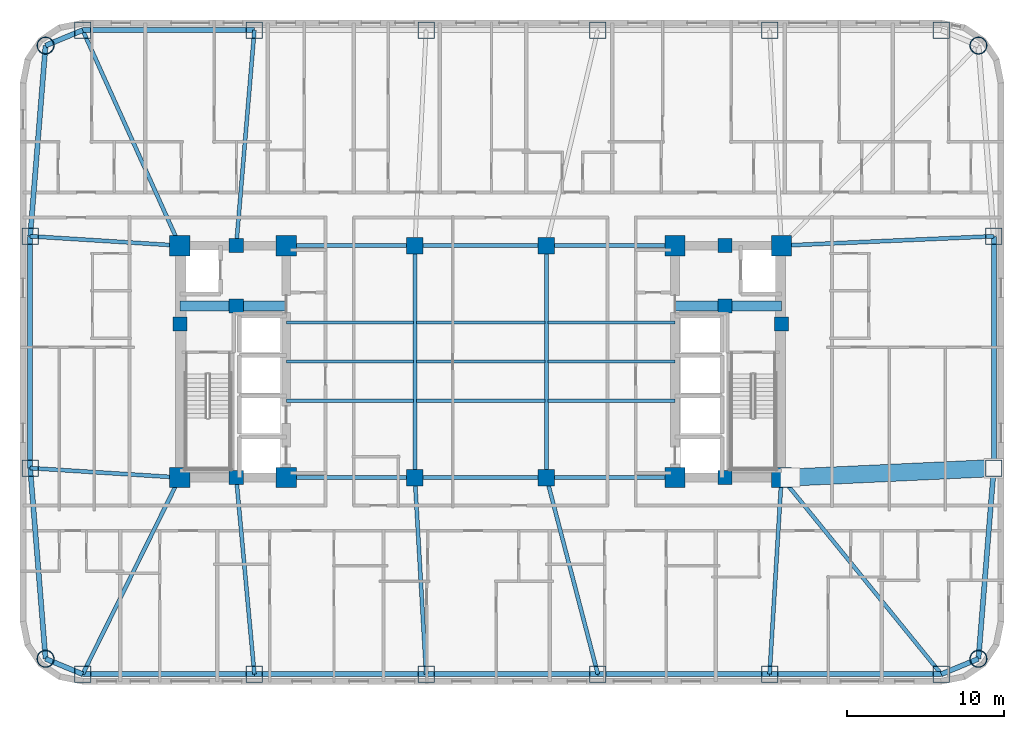
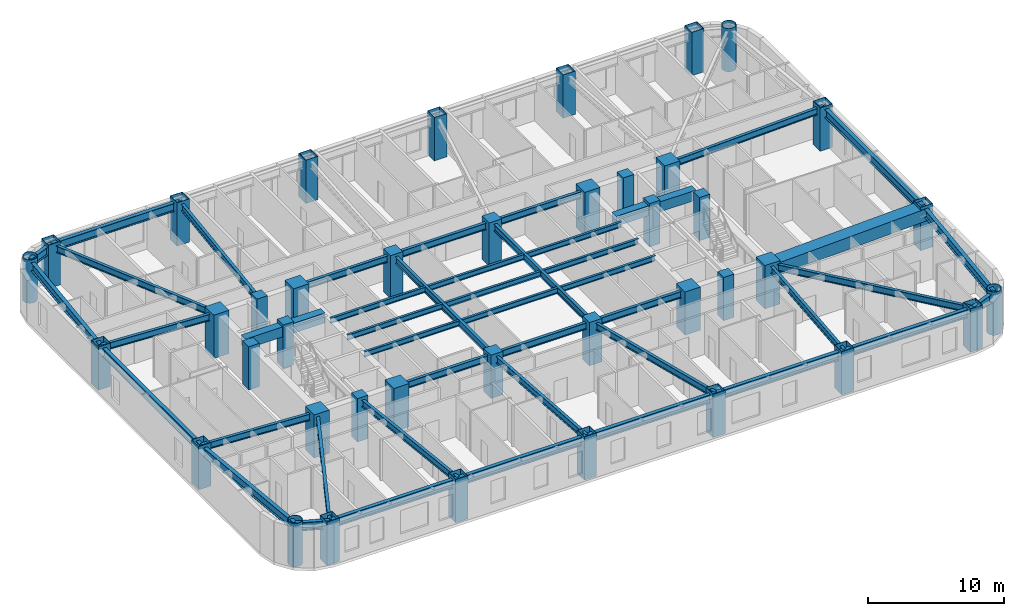
# One storey, part 1 of 12: 45 beams, 40 columns.
"""IFC4 building model written with IfcOpenShell, lengths in metres."""

from ifc_helpers import new_model, si_unit, direction, frame, origin, origin_2d, place, context, subcontext, project, spatial, rectangle, hollow_rectangle, hollow_circle, i_section, extrude, material, material_profile, profile_set, type_object, element, save


model = new_model("IFC4")

# Units and contexts
model_context = context("Model", 3, precision=1e-05, world=origin(), true_north=direction((0.0, 1.0)))
body_context = subcontext(model_context, "Body", "Model", "MODEL_VIEW")
ifc_project = project(units=[si_unit("LENGTHUNIT", "METRE"), si_unit("AREAUNIT", "SQUARE_METRE"), si_unit("VOLUMEUNIT", "CUBIC_METRE"), si_unit("PLANEANGLEUNIT", "RADIAN"), si_unit("MASSUNIT", "GRAM", prefix="KILO")], contexts=[model_context])

# Site, building, storey
site_placement = place(None, origin())
site = spatial("IfcSite", under=ifc_project, at=site_placement, CompositionType="ELEMENT")
building_placement = place(site_placement, origin())
building = spatial("IfcBuilding", under=site, at=building_placement, Name="Voryun Gate Residences", CompositionType="ELEMENT")
storey_placement = place(building_placement, frame((0.0, 0.0, 132.60009765625)))
storey = spatial("IfcBuildingStorey", under=building, at=storey_placement, Name="L32", CompositionType="ELEMENT", Elevation=132.60009765625)

# Columns
ifc_material_1 = material(Name="Concrete C50/60", Category="concrete")
ifc_material_profile_1 = material_profile(ifc_material_1, rectangle(XDim=1.050048828125, YDim=1.050048828125, at=origin_2d()), Name="RC-1050x1050")
ifc_profile_set_1 = profile_set([ifc_material_profile_1], Name="Concrete C50/60")
column_type_1 = type_object("IfcColumnType", Name="COL_CORE_1050", PredefinedType="COLUMN", material=ifc_profile_set_1)
for number, where, z_axis, x_axis, name in (
    (1, (-4.199951171875, -7.39990234375, 0.0), (0.0, 0.0, 1.0), (1.0, 0.0, 0.0), "L32 Interior spine column SP-WS"),
    (2, (-4.199951171875, 7.39990234375, 0.0), (0.0, 0.0, 1.0), (1.0, 0.0, 0.0), "L32 Interior spine column SP-WN"),
    (3, (4.199951171875, -7.39990234375, 0.0), (0.0, 0.0, 1.0), (1.0, 0.0, 0.0), "L32 Interior spine column SP-ES"),
    (4, (4.199951171875, 7.39990234375, 0.0), (0.0, 0.0, 1.0), (1.0, 0.0, 0.0), "L32 Interior spine column SP-EN"),
):
    element("IfcColumn", number, at=place(storey_placement, frame(where, z_axis=z_axis, x_axis=x_axis)), inside=storey, type_object=column_type_1, Name=name, PredefinedType="COLUMN", context=body_context, shape_type="SweptSolid", body=[
        extrude(rectangle(XDim=1.050048828125, YDim=1.050048828125, at=origin_2d()), origin(), (0.0, 0.0, 1.0), 3.89990234375),
    ])
ifc_material_2 = material(Name="Concrete C50/60", Category="concrete")
ifc_material_profile_2 = material_profile(ifc_material_2, rectangle(XDim=0.89990234375, YDim=0.89990234375, at=origin_2d()), Name="RC-900x900")
ifc_profile_set_2 = profile_set([ifc_material_profile_2], Name="Concrete C50/60")
column_type_2 = type_object("IfcColumnType", Name="COL_CORE_900", PredefinedType="COLUMN", material=ifc_profile_set_2)
for number, where, z_axis, x_axis, name in (
    (5, (-19.199951171875, 2.39990234375, 0.0), (0.0, 0.0, 1.0), (1.0, 0.0, 0.0), "L32 Core boundary column WC-MW"),
    (6, (-15.60009765625, -7.39990234375, 0.0), (0.0, 0.0, 1.0), (1.0, 0.0, 0.0), "L32 Core boundary column WC-SM"),
    (7, (-15.60009765625, 7.39990234375, 0.0), (0.0, 0.0, 1.0), (1.0, 0.0, 0.0), "L32 Core boundary column WC-NM"),
    (8, (-15.60009765625, 3.550048828125, 0.0), (0.0, 0.0, 1.0), (1.0, 0.0, 0.0), "L32 Core boundary column WC-MM"),
    (9, (15.60009765625, 3.550048828125, 0.0), (0.0, 0.0, 1.0), (1.0, 0.0, 0.0), "L32 Core boundary column EC-MM"),
    (10, (15.60009765625, -7.39990234375, 0.0), (0.0, 0.0, 1.0), (1.0, 0.0, 0.0), "L32 Core boundary column EC-SM"),
    (11, (15.60009765625, 7.39990234375, 0.0), (0.0, 0.0, 1.0), (1.0, 0.0, 0.0), "L32 Core boundary column EC-NM"),
    (12, (19.199951171875, 2.39990234375, 0.0), (0.0, 0.0, 1.0), (1.0, 0.0, 0.0), "L32 Core boundary column EC-ME"),
):
    element("IfcColumn", number, at=place(storey_placement, frame(where, z_axis=z_axis, x_axis=x_axis)), inside=storey, type_object=column_type_2, Name=name, PredefinedType="COLUMN", context=body_context, shape_type="SweptSolid", body=[
        extrude(rectangle(XDim=0.89990234375, YDim=0.89990234375, at=origin_2d()), origin(), (0.0, 0.0, 1.0), 3.89990234375),
    ])
ifc_material_3 = material(Name="Steel SM420", Category="steel")
ifc_material_profile_3 = material_profile(ifc_material_3, hollow_circle(Radius=0.550048828125, WallThickness=0.035888671875, at=origin_2d()), Name="CHS-1100x36")
ifc_profile_set_3 = profile_set([ifc_material_profile_3], Name="Steel SM420")
column_type_3 = type_object("IfcColumnType", Name="COL_CRN_1100", PredefinedType="COLUMN", material=ifc_profile_set_3)
for number, where, z_axis, x_axis, name in (
    (13, (31.768798828125, -18.96875, 0.0), (0.0, 0.0, 1.0), (1.0, 0.0, 0.0), "L32 Exoskeleton column CSE"),
    (14, (31.768798828125, 20.168701171875, 0.0), (0.0, 0.0, 1.0), (1.0, 0.0, 0.0), "L32 Exoskeleton column CNE"),
    (15, (-27.768798828125, 20.168701171875, 0.0), (0.0, 0.0, 1.0), (1.0, 0.0, 0.0), "L32 Exoskeleton column CNW"),
    (16, (-27.768798828125, -18.96875, 0.0), (0.0, 0.0, 1.0), (1.0, 0.0, 0.0), "L32 Exoskeleton column CSW"),
):
    element("IfcColumn", number, at=place(storey_placement, frame(where, z_axis=z_axis, x_axis=x_axis)), inside=storey, type_object=column_type_3, Name=name, PredefinedType="COLUMN", context=body_context, shape_type="SweptSolid", body=[
        extrude(hollow_circle(Radius=0.550048828125, WallThickness=0.035888671875, at=origin_2d()), origin(), (0.0, 0.0, 1.0), 3.89990234375),
    ])
ifc_material_4 = material(Name="Steel SM420", Category="steel")
ifc_material_profile_4 = material_profile(ifc_material_4, hollow_rectangle(XDim=1.050048828125, YDim=1.050048828125, WallThickness=0.035888671875, at=origin_2d()), Name="BOX-1050x1050x36")
ifc_profile_set_4 = profile_set([ifc_material_profile_4], Name="Steel SM420")
column_type_4 = type_object("IfcColumnType", Name="COL_EXO_B2", PredefinedType="COLUMN", material=ifc_profile_set_4)
for number, where, z_axis, x_axis, name in (
    (17, (-25.39990234375, -19.949951171875, 0.0), (0.0, 0.0, 1.0), (1.0, 0.0, 0.0), "L32 Exoskeleton column S1"),
    (18, (-14.43994140625, -19.949951171875, 0.0), (0.0, 0.0, 1.0), (1.0, 0.0, 0.0), "L32 Exoskeleton column S2"),
    (19, (-3.47998046875, -19.949951171875, 0.0), (0.0, 0.0, 1.0), (1.0, 0.0, 0.0), "L32 Exoskeleton column S3"),
    (20, (7.47998046875, -19.949951171875, 0.0), (0.0, 0.0, 1.0), (1.0, 0.0, 0.0), "L32 Exoskeleton column S4"),
    (21, (18.43994140625, -19.949951171875, 0.0), (0.0, 0.0, 1.0), (1.0, 0.0, 0.0), "L32 Exoskeleton column S5"),
    (22, (29.39990234375, -19.949951171875, 0.0), (0.0, 0.0, 1.0), (1.0, 0.0, 0.0), "L32 Exoskeleton column S6"),
    (23, (32.75, -6.798095703125, 0.0), (0.0, 0.0, 1.0), (1.0, 0.0, 0.0), "L32 Exoskeleton column E1"),
    (24, (32.75, 7.998046875, 0.0), (0.0, 0.0, 1.0), (1.0, 0.0, 0.0), "L32 Exoskeleton column E2"),
    (25, (29.39990234375, 21.14990234375, 0.0), (0.0, 0.0, 1.0), (1.0, 0.0, 0.0), "L32 Exoskeleton column N1"),
    (26, (18.43994140625, 21.14990234375, 0.0), (0.0, 0.0, 1.0), (1.0, 0.0, 0.0), "L32 Exoskeleton column N2"),
    (27, (7.47998046875, 21.14990234375, 0.0), (0.0, 0.0, 1.0), (1.0, 0.0, 0.0), "L32 Exoskeleton column N3"),
    (28, (-3.47998046875, 21.14990234375, 0.0), (0.0, 0.0, 1.0), (1.0, 0.0, 0.0), "L32 Exoskeleton column N4"),
    (29, (-14.43994140625, 21.14990234375, 0.0), (0.0, 0.0, 1.0), (1.0, 0.0, 0.0), "L32 Exoskeleton column N5"),
    (30, (-25.39990234375, 21.14990234375, 0.0), (0.0, 0.0, 1.0), (1.0, 0.0, 0.0), "L32 Exoskeleton column N6"),
    (31, (-28.75, 7.998046875, 0.0), (0.0, 0.0, 1.0), (1.0, 0.0, 0.0), "L32 Exoskeleton column W1"),
    (32, (-28.75, -6.798095703125, 0.0), (0.0, 0.0, 1.0), (1.0, 0.0, 0.0), "L32 Exoskeleton column W2"),
):
    element("IfcColumn", number, at=place(storey_placement, frame(where, z_axis=z_axis, x_axis=x_axis)), inside=storey, type_object=column_type_4, Name=name, PredefinedType="COLUMN", context=body_context, shape_type="SweptSolid", body=[
        extrude(hollow_rectangle(XDim=1.050048828125, YDim=1.050048828125, WallThickness=0.035888671875, at=origin_2d()), origin(), (0.0, 0.0, 1.0), 3.89990234375),
    ])
ifc_material_5 = material(Name="Concrete C60/75", Category="concrete")
ifc_material_profile_5 = material_profile(ifc_material_5, rectangle(XDim=1.300048828125, YDim=1.300048828125, at=origin_2d()), Name="RC-1300x1300")
ifc_profile_set_5 = profile_set([ifc_material_profile_5], Name="Concrete C60/75")
column_type_5 = type_object("IfcColumnType", Name="COL_MEGA_1300", PredefinedType="COLUMN", material=ifc_profile_set_5)
for number, where, z_axis, x_axis, name in (
    (33, (-19.199951171875, -7.39990234375, 0.0), (0.0, 0.0, 1.0), (1.0, 0.0, 0.0), "L32 Core boundary column WC-SW"),
    (34, (-19.199951171875, 7.39990234375, 0.0), (0.0, 0.0, 1.0), (1.0, 0.0, 0.0), "L32 Core boundary column WC-NW"),
    (35, (-12.39990234375, -7.39990234375, 0.0), (0.0, 0.0, 1.0), (1.0, 0.0, 0.0), "L32 Core boundary column WC-SE"),
    (36, (-12.39990234375, 7.39990234375, 0.0), (0.0, 0.0, 1.0), (1.0, 0.0, 0.0), "L32 Core boundary column WC-NE"),
    (37, (12.39990234375, -7.39990234375, 0.0), (0.0, 0.0, 1.0), (1.0, 0.0, 0.0), "L32 Core boundary column EC-SW"),
    (38, (12.39990234375, 7.39990234375, 0.0), (0.0, 0.0, 1.0), (1.0, 0.0, 0.0), "L32 Core boundary column EC-NW"),
    (39, (19.199951171875, -7.39990234375, 0.0), (0.0, 0.0, 1.0), (1.0, 0.0, 0.0), "L32 Core boundary column EC-SE"),
    (40, (19.199951171875, 7.39990234375, 0.0), (0.0, 0.0, 1.0), (1.0, 0.0, 0.0), "L32 Core boundary column EC-NE"),
):
    element("IfcColumn", number, at=place(storey_placement, frame(where, z_axis=z_axis, x_axis=x_axis)), inside=storey, type_object=column_type_5, Name=name, PredefinedType="COLUMN", context=body_context, shape_type="SweptSolid", body=[
        extrude(rectangle(XDim=1.300048828125, YDim=1.300048828125, at=origin_2d()), origin(), (0.0, 0.0, 1.0), 3.89990234375),
    ])

# Beams
ifc_material_6 = material(Name="Steel SM420", Category="steel")
ifc_material_profile_6 = material_profile(ifc_material_6, hollow_rectangle(XDim=1.10009765625, YDim=1.10009765625, WallThickness=0.035888671875, at=origin_2d()), Name="BOX-1100x1100x36")
ifc_profile_set_6 = profile_set([ifc_material_profile_6], Name="Steel SM420")
beam_type_1 = type_object("IfcBeamType", Name="BM_ARCH_RIB", PredefinedType="USERDEFINED", material=ifc_profile_set_6)
beam_1_placement = place(storey_placement, frame((19.75, -7.39990234375, 3.099853515625), z_axis=(0.998930206616, 0.046243294759, 0.0), x_axis=(-0.046243294759, 0.998930206616, 0.0)))
element("IfcBeam", 41, at=beam_1_placement, inside=storey, type_object=beam_type_1, Name="BM-L32-RAD-E1", ObjectType="GIRDER", PredefinedType="USERDEFINED", context=body_context, shape_type="SweptSolid", body=[
    extrude(hollow_rectangle(XDim=1.10009765625, YDim=1.10009765625, WallThickness=0.035888671875, at=origin_2d()), origin(), (0.0, 0.0, 1.0), 13.013916015625),
])
ifc_material_7 = material(Name="Concrete C60/75", Category="concrete")
ifc_material_profile_7 = material_profile(ifc_material_7, rectangle(XDim=0.64990234375, YDim=0.89990234375, at=origin_2d()), Name="RC-650x900")
ifc_profile_set_7 = profile_set([ifc_material_profile_7], Name="Concrete C60/75")
beam_type_2 = type_object("IfcBeamType", Name="BM_COUP_RC900", PredefinedType="LINTEL", material=ifc_profile_set_7)
for number, where, z_axis, x_axis, name in (
    (42, (-19.199951171875, 3.550048828125, 3.199951171875), (1.0, 0.0, 0.0), (0.0, 1.0, 0.0), "BM-L32-WC1"),
    (43, (12.39990234375, 3.550048828125, 3.199951171875), (1.0, 0.0, 0.0), (0.0, 1.0, 0.0), "BM-L32-EC1"),
):
    element("IfcBeam", number, at=place(storey_placement, frame(where, z_axis=z_axis, x_axis=x_axis)), inside=storey, type_object=beam_type_2, Name=name, PredefinedType="LINTEL", context=body_context, shape_type="SweptSolid", body=[
        extrude(rectangle(XDim=0.64990234375, YDim=0.89990234375, at=origin_2d()), origin(), (0.0, 0.0, 1.0), 6.800048828125),
    ])
ifc_material_8 = material(Name="Steel SM355", Category="steel")
ifc_material_profile_8 = material_profile(ifc_material_8, i_section(OverallWidth=0.320068359375, OverallDepth=0.75, WebThickness=0.01611328125, FlangeThickness=0.028076171875, FilletRadius=0.01806640625, at=origin_2d()), Name="H-750x320x16x28")
ifc_profile_set_8 = profile_set([ifc_material_profile_8], Name="Steel SM355")
beam_type_3 = type_object("IfcBeamType", Name="BM_EXO_SPANDREL_L", PredefinedType="SPANDREL", material=ifc_profile_set_8)
for number, where, z_axis, x_axis, name in (
    (44, (-25.39990234375, -19.949951171875, 3.27490234375), (1.0, 0.0, 0.0), (0.0, 1.0, 0.0), "BM-L32-SPAND-01"),
    (45, (-14.43994140625, -19.949951171875, 3.27490234375), (1.0, 0.0, 0.0), (0.0, 1.0, 0.0), "BM-L32-SPAND-02"),
    (46, (-3.47998046875, -19.949951171875, 3.27490234375), (1.0, 0.0, 0.0), (0.0, 1.0, 0.0), "BM-L32-SPAND-03"),
    (47, (7.47998046875, -19.949951171875, 3.27490234375), (1.0, 0.0, 0.0), (0.0, 1.0, 0.0), "BM-L32-SPAND-04"),
    (48, (18.43994140625, -19.949951171875, 3.27490234375), (1.0, 0.0, 0.0), (0.0, 1.0, 0.0), "BM-L32-SPAND-05"),
):
    element("IfcBeam", number, at=place(storey_placement, frame(where, z_axis=z_axis, x_axis=x_axis)), inside=storey, type_object=beam_type_3, Name=name, PredefinedType="SPANDREL", context=body_context, shape_type="SweptSolid", body=[
        extrude(i_section(OverallWidth=0.320068359375, OverallDepth=0.75, WebThickness=0.01611328125, FlangeThickness=0.028076171875, FilletRadius=0.01806640625, at=origin_2d()), origin(), (0.0, 0.0, 1.0), 10.9599609375),
    ])
beam_2_placement = place(storey_placement, frame((29.39990234375, -19.949951171875, 3.27490234375), z_axis=(0.923883376753, 0.382674151414, 0.0), x_axis=(-0.382674151414, 0.923883376753, 0.0)))
element("IfcBeam", 49, at=beam_2_placement, inside=storey, type_object=beam_type_3, Name="BM-L32-SPAND-06", PredefinedType="SPANDREL", context=body_context, shape_type="SweptSolid", body=[
    extrude(i_section(OverallWidth=0.320068359375, OverallDepth=0.75, WebThickness=0.01611328125, FlangeThickness=0.028076171875, FilletRadius=0.01806640625, at=origin_2d()), origin(), (0.0, 0.0, 1.0), 2.56396484375),
])
beam_3_placement = place(storey_placement, frame((31.768798828125, -18.96875, 3.27490234375), z_axis=(0.080359517973, 0.996765944378, 0.0), x_axis=(-0.996765944378, 0.080359517973, 0.0)))
element("IfcBeam", 50, at=beam_3_placement, inside=storey, type_object=beam_type_3, Name="BM-L32-SPAND-07", PredefinedType="SPANDREL", context=body_context, shape_type="SweptSolid", body=[
    extrude(i_section(OverallWidth=0.320068359375, OverallDepth=0.75, WebThickness=0.01611328125, FlangeThickness=0.028076171875, FilletRadius=0.01806640625, at=origin_2d()), origin(), (0.0, 0.0, 1.0), 12.210205078125),
])
beam_4_placement = place(storey_placement, frame((32.75, -6.798095703125, 3.27490234375), z_axis=(0.0, 1.0, 0.0), x_axis=(-1.0, 0.0, 0.0)))
element("IfcBeam", 51, at=beam_4_placement, inside=storey, type_object=beam_type_3, Name="BM-L32-SPAND-08", PredefinedType="SPANDREL", context=body_context, shape_type="SweptSolid", body=[
    extrude(i_section(OverallWidth=0.320068359375, OverallDepth=0.75, WebThickness=0.01611328125, FlangeThickness=0.028076171875, FilletRadius=0.01806640625, at=origin_2d()), origin(), (0.0, 0.0, 1.0), 14.796142578125),
])
beam_5_placement = place(storey_placement, frame((-14.43994140625, 21.14990234375, 3.27490234375), z_axis=(-1.0, 0.0, 0.0), x_axis=(0.0, -1.0, 0.0)))
element("IfcBeam", 52, at=beam_5_placement, inside=storey, type_object=beam_type_3, Name="BM-L32-SPAND-15", PredefinedType="SPANDREL", context=body_context, shape_type="SweptSolid", body=[
    extrude(i_section(OverallWidth=0.320068359375, OverallDepth=0.75, WebThickness=0.01611328125, FlangeThickness=0.028076171875, FilletRadius=0.01806640625, at=origin_2d()), origin(), (0.0, 0.0, 1.0), 10.9599609375),
])
beam_6_placement = place(storey_placement, frame((-25.39990234375, 21.14990234375, 3.27490234375), z_axis=(-0.923883376753, -0.382674151414, 0.0), x_axis=(0.382674151414, -0.923883376753, 0.0)))
element("IfcBeam", 53, at=beam_6_placement, inside=storey, type_object=beam_type_3, Name="BM-L32-SPAND-16", PredefinedType="SPANDREL", context=body_context, shape_type="SweptSolid", body=[
    extrude(i_section(OverallWidth=0.320068359375, OverallDepth=0.75, WebThickness=0.01611328125, FlangeThickness=0.028076171875, FilletRadius=0.01806640625, at=origin_2d()), origin(), (0.0, 0.0, 1.0), 2.56396484375),
])
beam_7_placement = place(storey_placement, frame((-27.768798828125, 20.168701171875, 3.27490234375), z_axis=(-0.080359517973, -0.996765944378, 0.0), x_axis=(0.996765944378, -0.080359517973, 0.0)))
element("IfcBeam", 54, at=beam_7_placement, inside=storey, type_object=beam_type_3, Name="BM-L32-SPAND-17", PredefinedType="SPANDREL", context=body_context, shape_type="SweptSolid", body=[
    extrude(i_section(OverallWidth=0.320068359375, OverallDepth=0.75, WebThickness=0.01611328125, FlangeThickness=0.028076171875, FilletRadius=0.01806640625, at=origin_2d()), origin(), (0.0, 0.0, 1.0), 12.210205078125),
])
beam_8_placement = place(storey_placement, frame((-28.75, 7.998046875, 3.27490234375), z_axis=(0.0, -1.0, 0.0), x_axis=(1.0, 0.0, 0.0)))
element("IfcBeam", 55, at=beam_8_placement, inside=storey, type_object=beam_type_3, Name="BM-L32-SPAND-18", PredefinedType="SPANDREL", context=body_context, shape_type="SweptSolid", body=[
    extrude(i_section(OverallWidth=0.320068359375, OverallDepth=0.75, WebThickness=0.01611328125, FlangeThickness=0.028076171875, FilletRadius=0.01806640625, at=origin_2d()), origin(), (0.0, 0.0, 1.0), 14.796142578125),
])
beam_9_placement = place(storey_placement, frame((-28.75, -6.798095703125, 3.27490234375), z_axis=(0.080359517973, -0.996765944378, 0.0), x_axis=(0.996765944378, 0.080359517973, 0.0)))
element("IfcBeam", 56, at=beam_9_placement, inside=storey, type_object=beam_type_3, Name="BM-L32-SPAND-19", PredefinedType="SPANDREL", context=body_context, shape_type="SweptSolid", body=[
    extrude(i_section(OverallWidth=0.320068359375, OverallDepth=0.75, WebThickness=0.01611328125, FlangeThickness=0.028076171875, FilletRadius=0.01806640625, at=origin_2d()), origin(), (0.0, 0.0, 1.0), 12.210205078125),
])
beam_10_placement = place(storey_placement, frame((-27.768798828125, -18.96875, 3.27490234375), z_axis=(0.923883376753, -0.382674151414, 0.0), x_axis=(0.382674151414, 0.923883376753, 0.0)))
element("IfcBeam", 57, at=beam_10_placement, inside=storey, type_object=beam_type_3, Name="BM-L32-SPAND-20", PredefinedType="SPANDREL", context=body_context, shape_type="SweptSolid", body=[
    extrude(i_section(OverallWidth=0.320068359375, OverallDepth=0.75, WebThickness=0.01611328125, FlangeThickness=0.028076171875, FilletRadius=0.01806640625, at=origin_2d()), origin(), (0.0, 0.0, 1.0), 2.56396484375),
])
ifc_material_9 = material(Name="Steel SM355", Category="steel")
ifc_material_profile_9 = material_profile(ifc_material_9, i_section(OverallWidth=0.25, OverallDepth=0.60009765625, WebThickness=0.011962890625, FlangeThickness=0.02197265625, FilletRadius=0.01806640625, at=origin_2d()), Name="H-600x250x12x22")
ifc_profile_set_9 = profile_set([ifc_material_profile_9], Name="Steel SM355")
beam_type_4 = type_object("IfcBeamType", Name="BM_GIRD_600", PredefinedType="USERDEFINED", material=ifc_profile_set_9)
beam_11_placement = place(storey_placement, frame((-12.39990234375, -7.39990234375, 3.349853515625), z_axis=(1.0, 0.0, 0.0), x_axis=(0.0, 1.0, 0.0)))
element("IfcBeam", 58, at=beam_11_placement, inside=storey, type_object=beam_type_4, Name="BM-L32-SPG1-S", ObjectType="GIRDER", PredefinedType="USERDEFINED", context=body_context, shape_type="SweptSolid", body=[
    extrude(i_section(OverallWidth=0.25, OverallDepth=0.60009765625, WebThickness=0.011962890625, FlangeThickness=0.02197265625, FilletRadius=0.01806640625, at=origin_2d()), origin(), (0.0, 0.0, 1.0), 8.199951171875),
])
beam_12_placement = place(storey_placement, frame((-4.199951171875, -7.39990234375, 3.349853515625), z_axis=(1.0, 0.0, 0.0), x_axis=(0.0, 1.0, 0.0)))
element("IfcBeam", 59, at=beam_12_placement, inside=storey, type_object=beam_type_4, Name="BM-L32-SPG2-S", ObjectType="GIRDER", PredefinedType="USERDEFINED", context=body_context, shape_type="SweptSolid", body=[
    extrude(i_section(OverallWidth=0.25, OverallDepth=0.60009765625, WebThickness=0.011962890625, FlangeThickness=0.02197265625, FilletRadius=0.01806640625, at=origin_2d()), origin(), (0.0, 0.0, 1.0), 8.39990234375),
])
for number, where, z_axis, x_axis, name in (
    (60, (4.199951171875, -7.39990234375, 3.349853515625), (1.0, 0.0, 0.0), (0.0, 1.0, 0.0), "BM-L32-SPG3-S"),
    (61, (-12.39990234375, 7.39990234375, 3.349853515625), (1.0, 0.0, 0.0), (0.0, 1.0, 0.0), "BM-L32-SPG1-N"),
):
    element("IfcBeam", number, at=place(storey_placement, frame(where, z_axis=z_axis, x_axis=x_axis)), inside=storey, type_object=beam_type_4, Name=name, ObjectType="GIRDER", PredefinedType="USERDEFINED", context=body_context, shape_type="SweptSolid", body=[
        extrude(i_section(OverallWidth=0.25, OverallDepth=0.60009765625, WebThickness=0.011962890625, FlangeThickness=0.02197265625, FilletRadius=0.01806640625, at=origin_2d()), origin(), (0.0, 0.0, 1.0), 8.199951171875),
    ])
beam_13_placement = place(storey_placement, frame((-4.199951171875, 7.39990234375, 3.349853515625), z_axis=(1.0, 0.0, 0.0), x_axis=(0.0, 1.0, 0.0)))
element("IfcBeam", 62, at=beam_13_placement, inside=storey, type_object=beam_type_4, Name="BM-L32-SPG2-N", ObjectType="GIRDER", PredefinedType="USERDEFINED", context=body_context, shape_type="SweptSolid", body=[
    extrude(i_section(OverallWidth=0.25, OverallDepth=0.60009765625, WebThickness=0.011962890625, FlangeThickness=0.02197265625, FilletRadius=0.01806640625, at=origin_2d()), origin(), (0.0, 0.0, 1.0), 8.39990234375),
])
beam_14_placement = place(storey_placement, frame((4.199951171875, 7.39990234375, 3.349853515625), z_axis=(1.0, 0.0, 0.0), x_axis=(0.0, 1.0, 0.0)))
element("IfcBeam", 63, at=beam_14_placement, inside=storey, type_object=beam_type_4, Name="BM-L32-SPG3-N", ObjectType="GIRDER", PredefinedType="USERDEFINED", context=body_context, shape_type="SweptSolid", body=[
    extrude(i_section(OverallWidth=0.25, OverallDepth=0.60009765625, WebThickness=0.011962890625, FlangeThickness=0.02197265625, FilletRadius=0.01806640625, at=origin_2d()), origin(), (0.0, 0.0, 1.0), 8.199951171875),
])
for number, where, z_axis, x_axis, name in (
    (64, (-4.199951171875, -7.39990234375, 3.349853515625), (0.0, 1.0, 0.0), (-1.0, 0.0, 0.0), "BM-L32-SPX-W"),
    (65, (4.199951171875, -7.39990234375, 3.349853515625), (0.0, 1.0, 0.0), (-1.0, 0.0, 0.0), "BM-L32-SPX-E"),
):
    element("IfcBeam", number, at=place(storey_placement, frame(where, z_axis=z_axis, x_axis=x_axis)), inside=storey, type_object=beam_type_4, Name=name, ObjectType="GIRDER", PredefinedType="USERDEFINED", context=body_context, shape_type="SweptSolid", body=[
        extrude(i_section(OverallWidth=0.25, OverallDepth=0.60009765625, WebThickness=0.011962890625, FlangeThickness=0.02197265625, FilletRadius=0.01806640625, at=origin_2d()), origin(), (0.0, 0.0, 1.0), 14.7998046875),
    ])
beam_15_placement = place(storey_placement, frame((-19.199951171875, -7.39990234375, 3.349853515625), z_axis=(-0.442917927955, -0.896562161312, 0.0), x_axis=(0.896562161312, -0.442917927955, 0.0)))
element("IfcBeam", 66, at=beam_15_placement, inside=storey, type_object=beam_type_4, Name="BM-L32-RAD-S1", ObjectType="GIRDER", PredefinedType="USERDEFINED", context=body_context, shape_type="SweptSolid", body=[
    extrude(i_section(OverallWidth=0.25, OverallDepth=0.60009765625, WebThickness=0.011962890625, FlangeThickness=0.02197265625, FilletRadius=0.01806640625, at=origin_2d()), origin(), (0.0, 0.0, 1.0), 13.998046875),
])
beam_16_placement = place(storey_placement, frame((-15.60009765625, -7.39990234375, 3.349853515625), z_axis=(0.092049895705, -0.995754395773, 0.0), x_axis=(0.995754395773, 0.092049895705, 0.0)))
element("IfcBeam", 67, at=beam_16_placement, inside=storey, type_object=beam_type_4, Name="BM-L32-RAD-S2", ObjectType="GIRDER", PredefinedType="USERDEFINED", context=body_context, shape_type="SweptSolid", body=[
    extrude(i_section(OverallWidth=0.25, OverallDepth=0.60009765625, WebThickness=0.011962890625, FlangeThickness=0.02197265625, FilletRadius=0.01806640625, at=origin_2d()), origin(), (0.0, 0.0, 1.0), 12.603515625),
])
beam_17_placement = place(storey_placement, frame((-4.199951171875, -7.39990234375, 3.349853515625), z_axis=(0.057273791334, -0.998358509167, 0.0), x_axis=(0.998358509167, 0.057273791334, 0.0)))
element("IfcBeam", 68, at=beam_17_placement, inside=storey, type_object=beam_type_4, Name="BM-L32-RAD-S3", ObjectType="GIRDER", PredefinedType="USERDEFINED", context=body_context, shape_type="SweptSolid", body=[
    extrude(i_section(OverallWidth=0.25, OverallDepth=0.60009765625, WebThickness=0.011962890625, FlangeThickness=0.02197265625, FilletRadius=0.01806640625, at=origin_2d()), origin(), (0.0, 0.0, 1.0), 12.57080078125),
])
beam_18_placement = place(storey_placement, frame((4.199951171875, -7.39990234375, 3.349853515625), z_axis=(0.252862419611, -0.967502246379, 0.0), x_axis=(0.967502246379, 0.252862419611, 0.0)))
element("IfcBeam", 69, at=beam_18_placement, inside=storey, type_object=beam_type_4, Name="BM-L32-RAD-S4", ObjectType="GIRDER", PredefinedType="USERDEFINED", context=body_context, shape_type="SweptSolid", body=[
    extrude(i_section(OverallWidth=0.25, OverallDepth=0.60009765625, WebThickness=0.011962890625, FlangeThickness=0.02197265625, FilletRadius=0.01806640625, at=origin_2d()), origin(), (0.0, 0.0, 1.0), 12.9716796875),
])
beam_19_placement = place(storey_placement, frame((19.199951171875, -7.39990234375, 3.349853515625), z_axis=(-0.060447572917, -0.998171373527, 0.0), x_axis=(0.998171373527, -0.060447572917, 0.0)))
element("IfcBeam", 70, at=beam_19_placement, inside=storey, type_object=beam_type_4, Name="BM-L32-RAD-S5", ObjectType="GIRDER", PredefinedType="USERDEFINED", context=body_context, shape_type="SweptSolid", body=[
    extrude(i_section(OverallWidth=0.25, OverallDepth=0.60009765625, WebThickness=0.011962890625, FlangeThickness=0.02197265625, FilletRadius=0.01806640625, at=origin_2d()), origin(), (0.0, 0.0, 1.0), 12.572998046875),
])
beam_20_placement = place(storey_placement, frame((19.199951171875, -7.39990234375, 3.349853515625), z_axis=(0.63070571586, -0.776022100189, 0.0), x_axis=(0.776022100189, 0.63070571586, 0.0)))
element("IfcBeam", 71, at=beam_20_placement, inside=storey, type_object=beam_type_4, Name="BM-L32-RAD-S6", ObjectType="GIRDER", PredefinedType="USERDEFINED", context=body_context, shape_type="SweptSolid", body=[
    extrude(i_section(OverallWidth=0.25, OverallDepth=0.60009765625, WebThickness=0.011962890625, FlangeThickness=0.02197265625, FilletRadius=0.01806640625, at=origin_2d()), origin(), (0.0, 0.0, 1.0), 16.17236328125),
])
beam_21_placement = place(storey_placement, frame((19.199951171875, 7.39990234375, 3.349853515625), z_axis=(0.999027104014, 0.044100401882, 0.0), x_axis=(-0.044100401882, 0.999027104014, 0.0)))
element("IfcBeam", 72, at=beam_21_placement, inside=storey, type_object=beam_type_4, Name="BM-L32-RAD-E2", ObjectType="GIRDER", PredefinedType="USERDEFINED", context=body_context, shape_type="SweptSolid", body=[
    extrude(i_section(OverallWidth=0.25, OverallDepth=0.60009765625, WebThickness=0.011962890625, FlangeThickness=0.02197265625, FilletRadius=0.01806640625, at=origin_2d()), origin(), (0.0, 0.0, 1.0), 13.563232421875),
])
beam_22_placement = place(storey_placement, frame((-15.60009765625, 7.39990234375, 3.349853515625), z_axis=(0.084076255415, 0.996459323442, 0.0), x_axis=(-0.996459323442, 0.084076255415, 0.0)))
element("IfcBeam", 73, at=beam_22_placement, inside=storey, type_object=beam_type_4, Name="BM-L32-RAD-N5", ObjectType="GIRDER", PredefinedType="USERDEFINED", context=body_context, shape_type="SweptSolid", body=[
    extrude(i_section(OverallWidth=0.25, OverallDepth=0.60009765625, WebThickness=0.011962890625, FlangeThickness=0.02197265625, FilletRadius=0.01806640625, at=origin_2d()), origin(), (0.0, 0.0, 1.0), 13.798828125),
])
beam_23_placement = place(storey_placement, frame((-19.199951171875, 7.39990234375, 3.349853515625), z_axis=(-0.411051048554, 0.911612327408, 0.0), x_axis=(-0.911612327408, -0.411051048554, 0.0)))
element("IfcBeam", 74, at=beam_23_placement, inside=storey, type_object=beam_type_4, Name="BM-L32-RAD-N6", ObjectType="GIRDER", PredefinedType="USERDEFINED", context=body_context, shape_type="SweptSolid", body=[
    extrude(i_section(OverallWidth=0.25, OverallDepth=0.60009765625, WebThickness=0.011962890625, FlangeThickness=0.02197265625, FilletRadius=0.01806640625, at=origin_2d()), origin(), (0.0, 0.0, 1.0), 15.083251953125),
])
beam_24_placement = place(storey_placement, frame((-19.199951171875, 7.39990234375, 3.349853515625), z_axis=(-0.998044329736, 0.062510126233, 0.0), x_axis=(-0.062510126233, -0.998044329736, 0.0)))
element("IfcBeam", 75, at=beam_24_placement, inside=storey, type_object=beam_type_4, Name="BM-L32-RAD-W1", ObjectType="GIRDER", PredefinedType="USERDEFINED", context=body_context, shape_type="SweptSolid", body=[
    extrude(i_section(OverallWidth=0.25, OverallDepth=0.60009765625, WebThickness=0.011962890625, FlangeThickness=0.02197265625, FilletRadius=0.01806640625, at=origin_2d()), origin(), (0.0, 0.0, 1.0), 9.56884765625),
])
beam_25_placement = place(storey_placement, frame((-19.199951171875, -7.39990234375, 3.349853515625), z_axis=(-0.998020380726, 0.062891332119, 0.0), x_axis=(-0.062891332119, -0.998020380726, 0.0)))
element("IfcBeam", 76, at=beam_25_placement, inside=storey, type_object=beam_type_4, Name="BM-L32-RAD-W2", ObjectType="GIRDER", PredefinedType="USERDEFINED", context=body_context, shape_type="SweptSolid", body=[
    extrude(i_section(OverallWidth=0.25, OverallDepth=0.60009765625, WebThickness=0.011962890625, FlangeThickness=0.02197265625, FilletRadius=0.01806640625, at=origin_2d()), origin(), (0.0, 0.0, 1.0), 9.569091796875),
])
ifc_material_10 = material(Name="Steel SM355", Category="steel")
ifc_material_profile_10 = material_profile(ifc_material_10, i_section(OverallWidth=0.199951171875, OverallDepth=0.47998046875, WebThickness=0.010009765625, FlangeThickness=0.01806640625, FilletRadius=0.01806640625, at=origin_2d()), Name="H-480x200x10x18")
ifc_profile_set_10 = profile_set([ifc_material_profile_10], Name="Steel SM355")
beam_type_5 = type_object("IfcBeamType", Name="BM_SEC_480", PredefinedType="BEAM", material=ifc_profile_set_10)
beam_26_placement = place(storey_placement, frame((-12.39990234375, -2.5, 3.409912109375), z_axis=(1.0, 0.0, 0.0), x_axis=(0.0, 1.0, 0.0)))
element("IfcBeam", 77, at=beam_26_placement, inside=storey, type_object=beam_type_5, Name="BM-L32-SEC-CS1", PredefinedType="BEAM", context=body_context, shape_type="SweptSolid", body=[
    extrude(i_section(OverallWidth=0.199951171875, OverallDepth=0.47998046875, WebThickness=0.010009765625, FlangeThickness=0.01806640625, FilletRadius=0.01806640625, at=origin_2d()), origin(), (0.0, 0.0, 1.0), 8.099853515625),
])
beam_27_placement = place(storey_placement, frame((-4.10009765625, -2.5, 3.409912109375), z_axis=(1.0, 0.0, 0.0), x_axis=(0.0, 1.0, 0.0)))
element("IfcBeam", 78, at=beam_27_placement, inside=storey, type_object=beam_type_5, Name="BM-L32-SEC-CS2", PredefinedType="BEAM", context=body_context, shape_type="SweptSolid", body=[
    extrude(i_section(OverallWidth=0.199951171875, OverallDepth=0.47998046875, WebThickness=0.010009765625, FlangeThickness=0.01806640625, FilletRadius=0.01806640625, at=origin_2d()), origin(), (0.0, 0.0, 1.0), 8.2001953125),
])
for number, where, z_axis, x_axis, name in (
    (79, (4.300048828125, -2.5, 3.409912109375), (1.0, 0.0, 0.0), (0.0, 1.0, 0.0), "BM-L32-SEC-CS3"),
    (80, (-12.39990234375, 0.0, 3.409912109375), (1.0, 0.0, 0.0), (0.0, 1.0, 0.0), "BM-L32-SEC-CM1"),
):
    element("IfcBeam", number, at=place(storey_placement, frame(where, z_axis=z_axis, x_axis=x_axis)), inside=storey, type_object=beam_type_5, Name=name, PredefinedType="BEAM", context=body_context, shape_type="SweptSolid", body=[
        extrude(i_section(OverallWidth=0.199951171875, OverallDepth=0.47998046875, WebThickness=0.010009765625, FlangeThickness=0.01806640625, FilletRadius=0.01806640625, at=origin_2d()), origin(), (0.0, 0.0, 1.0), 8.099853515625),
    ])
beam_28_placement = place(storey_placement, frame((-4.10009765625, 0.0, 3.409912109375), z_axis=(1.0, 0.0, 0.0), x_axis=(0.0, 1.0, 0.0)))
element("IfcBeam", 81, at=beam_28_placement, inside=storey, type_object=beam_type_5, Name="BM-L32-SEC-CM2", PredefinedType="BEAM", context=body_context, shape_type="SweptSolid", body=[
    extrude(i_section(OverallWidth=0.199951171875, OverallDepth=0.47998046875, WebThickness=0.010009765625, FlangeThickness=0.01806640625, FilletRadius=0.01806640625, at=origin_2d()), origin(), (0.0, 0.0, 1.0), 8.2001953125),
])
for number, where, z_axis, x_axis, name in (
    (82, (4.300048828125, 0.0, 3.409912109375), (1.0, 0.0, 0.0), (0.0, 1.0, 0.0), "BM-L32-SEC-CM3"),
    (83, (-12.39990234375, 2.5, 3.409912109375), (1.0, 0.0, 0.0), (0.0, 1.0, 0.0), "BM-L32-SEC-CN1"),
):
    element("IfcBeam", number, at=place(storey_placement, frame(where, z_axis=z_axis, x_axis=x_axis)), inside=storey, type_object=beam_type_5, Name=name, PredefinedType="BEAM", context=body_context, shape_type="SweptSolid", body=[
        extrude(i_section(OverallWidth=0.199951171875, OverallDepth=0.47998046875, WebThickness=0.010009765625, FlangeThickness=0.01806640625, FilletRadius=0.01806640625, at=origin_2d()), origin(), (0.0, 0.0, 1.0), 8.099853515625),
    ])
beam_29_placement = place(storey_placement, frame((-4.10009765625, 2.5, 3.409912109375), z_axis=(1.0, 0.0, 0.0), x_axis=(0.0, 1.0, 0.0)))
element("IfcBeam", 84, at=beam_29_placement, inside=storey, type_object=beam_type_5, Name="BM-L32-SEC-CN2", PredefinedType="BEAM", context=body_context, shape_type="SweptSolid", body=[
    extrude(i_section(OverallWidth=0.199951171875, OverallDepth=0.47998046875, WebThickness=0.010009765625, FlangeThickness=0.01806640625, FilletRadius=0.01806640625, at=origin_2d()), origin(), (0.0, 0.0, 1.0), 8.2001953125),
])
beam_30_placement = place(storey_placement, frame((4.300048828125, 2.5, 3.409912109375), z_axis=(1.0, 0.0, 0.0), x_axis=(0.0, 1.0, 0.0)))
element("IfcBeam", 85, at=beam_30_placement, inside=storey, type_object=beam_type_5, Name="BM-L32-SEC-CN3", PredefinedType="BEAM", context=body_context, shape_type="SweptSolid", body=[
    extrude(i_section(OverallWidth=0.199951171875, OverallDepth=0.47998046875, WebThickness=0.010009765625, FlangeThickness=0.01806640625, FilletRadius=0.01806640625, at=origin_2d()), origin(), (0.0, 0.0, 1.0), 8.099853515625),
])

save(model, "model.ifc")
